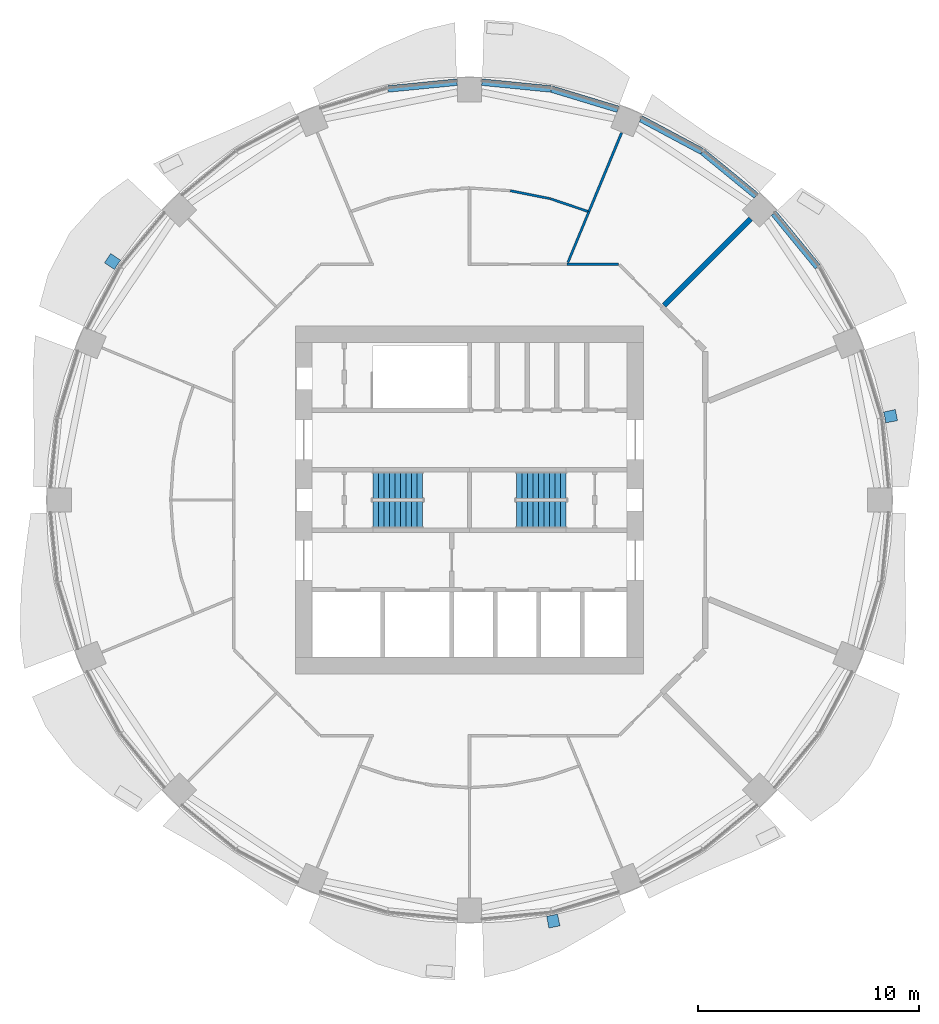
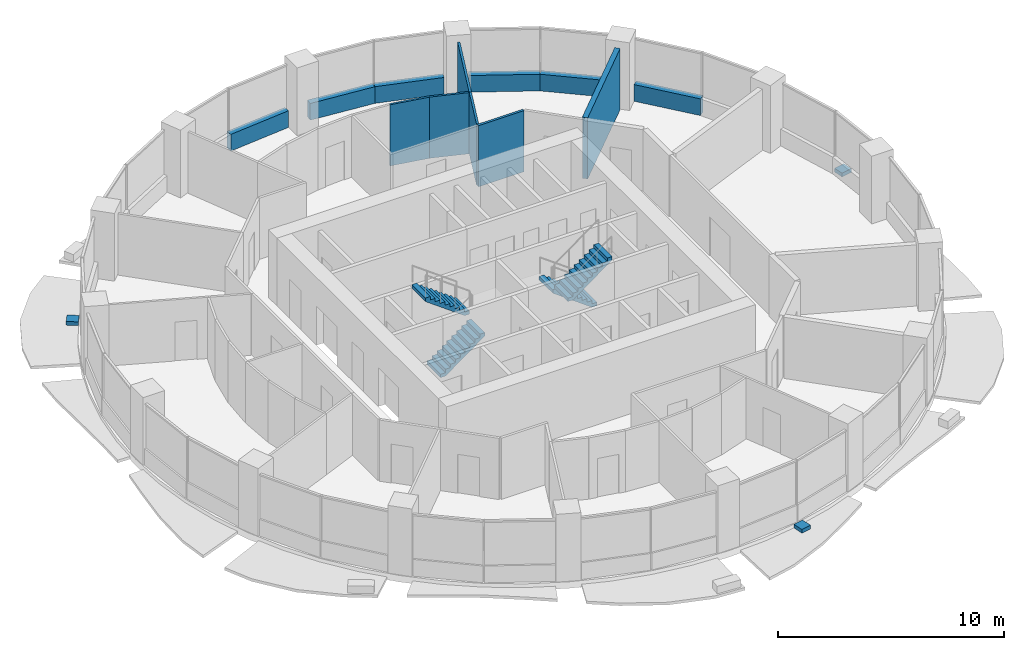
# One storey, part 10 of 14: 12 walls, 4 stair flights, 3 discrete accessories, 2 elements without a shape of their own.
"""IFC4 building model written with IfcOpenShell, lengths in metres."""

from ifc_helpers import new_model, si_unit, direction, frame, frame_2d, origin, place, context, subcontext, project, spatial, polyline, rectangle, outline, extrude, material, layer, layer_set, type_object, element, aggregate, save


model = new_model("IFC4")

# Units and contexts
model_context = context("Model", 3, precision=1e-05, world=origin(), true_north=direction((0.0, 1.0)))
body_context = subcontext(model_context, "Body", "Model", "MODEL_VIEW")
ifc_project = project(units=[si_unit("LENGTHUNIT", "METRE"), si_unit("AREAUNIT", "SQUARE_METRE"), si_unit("VOLUMEUNIT", "CUBIC_METRE"), si_unit("PLANEANGLEUNIT", "RADIAN"), si_unit("MASSUNIT", "GRAM", prefix="KILO")], contexts=[model_context])

# Site, building, storey
site_placement = place(None, origin())
site = spatial("IfcSite", under=ifc_project, at=site_placement, CompositionType="ELEMENT")
building_placement = place(site_placement, origin())
building = spatial("IfcBuilding", under=site, at=building_placement, Name="Polderwave Tower", CompositionType="ELEMENT")
storey_placement = place(building_placement, frame((0.0, 0.0, 112.89990234375)))
storey = spatial("IfcBuildingStorey", under=building, at=storey_placement, Name="L29", CompositionType="ELEMENT", Elevation=112.89990234375)

# Walls
ifc_material_1 = material(Name="Concrete C50/60 (board-marked)", Category="concrete")
ifc_layer_1 = layer(ifc_material_1, 0.300048828125)
ifc_layer_set_1 = layer_set([ifc_layer_1], Name="Concrete spandrel upstand C50/60")
wall_type_1 = type_object("IfcWallType", Name="Concrete spandrel upstand C50/60", PredefinedType="SOLIDWALL", material=ifc_layer_set_1)
for number, where, z_axis, x_axis, name in (
    (1, (15.771484375, 10.556640625, 0.0), (0.0, 0.0, 1.0), (-0.634274895162, 0.773107597536, 0.0), "Spandrel L29 2b"),
    (2, (12.9833984375, 13.780517578125, 0.0), (0.0, 0.0, 1.0), (-0.773107597536, 0.634274895162, 0.0), "Spandrel L29 3a"),
):
    element("IfcWall", number, at=place(storey_placement, frame(where, z_axis=z_axis, x_axis=x_axis)), inside=storey, type_object=wall_type_1, Name=name, PredefinedType="SOLIDWALL", context=body_context, shape_type="SweptSolid", body=[
        extrude(rectangle(XDim=3.138916015625, YDim=0.300048828125, at=frame_2d((1.5693359375, 0.0))), origin(), (0.0, 0.0, 1.0), 0.900146484375),
    ])
wall_1_placement = place(storey_placement, frame((10.53173828125, 15.7880859375, 0.0), z_axis=(0.0, 0.0, 1.0), x_axis=(-0.88193278355, 0.471375185282, 0.0)))
element("IfcWall", 3, at=wall_1_placement, inside=storey, type_object=wall_type_1, Name="Spandrel L29 3b", PredefinedType="SOLIDWALL", context=body_context, shape_type="SweptSolid", body=[
    extrude(rectangle(XDim=3.13916015625, YDim=0.300048828125, at=frame_2d((1.569580078125, 0.0))), origin(), (0.0, 0.0, 1.0), 0.900146484375),
])
wall_2_placement = place(storey_placement, frame((6.7216796875, 17.699462890625, 0.0), z_axis=(0.0, 0.0, 1.0), x_axis=(-0.956961595403, 0.290214584271, 0.0)))
element("IfcWall", 4, at=wall_2_placement, inside=storey, type_object=wall_type_1, Name="Spandrel L29 4a", PredefinedType="SOLIDWALL", context=body_context, shape_type="SweptSolid", body=[
    extrude(rectangle(XDim=3.139404296875, YDim=0.300048828125, at=frame_2d((1.56982421875, 0.0))), origin(), (0.0, 0.0, 1.0), 0.900146484375),
])
for number, where, z_axis, x_axis, name in (
    (5, (3.68798828125, 18.616455078125, 0.0), (0.0, 0.0, 1.0), (-0.995171790956, 0.098148390136, 0.0), "Spandrel L29 4b"),
    (6, (-0.56396484375, 18.924560546875, 0.0), (0.0, 0.0, 1.0), (-0.995171790956, -0.098148390136, 0.0), "Spandrel L29 5a"),
):
    element("IfcWall", number, at=place(storey_placement, frame(where, z_axis=z_axis, x_axis=x_axis)), inside=storey, type_object=wall_type_1, Name=name, PredefinedType="SOLIDWALL", context=body_context, shape_type="SweptSolid", body=[
        extrude(rectangle(XDim=3.13916015625, YDim=0.300048828125, at=frame_2d((1.569580078125, 0.0))), origin(), (0.0, 0.0, 1.0), 0.900146484375),
    ])
ifc_material_2 = material(Name="Fire-resisting board on steel studs", Category="steel")
ifc_layer_2 = layer(ifc_material_2, 0.125)
ifc_layer_set_2 = layer_set([ifc_layer_2], Name="Corridor wall 125 mm EI 60")
wall_type_2 = type_object("IfcWallType", Name="Corridor wall 125 mm EI 60", PredefinedType="PARTITIONING", material=ifc_layer_set_2)
wall_3_placement = place(storey_placement, frame((4.42138671875, 10.674072265625, 0.0), z_axis=(0.0, 0.0, 1.0), x_axis=(1.0, 0.0, 0.0)))
element("IfcWall", 7, at=wall_3_placement, inside=storey, type_object=wall_type_2, Name="IN-L29-W006", PredefinedType="PARTITIONING", context=body_context, shape_type="SweptSolid", body=[
    extrude(rectangle(XDim=2.32373046875, YDim=0.125, at=frame_2d((1.161865234375, 0.0))), origin(), (0.0, 0.0, 1.0), 3.300048828125),
])
ifc_material_3 = material(Name="Moisture-resistant board on steel studs, tiled", Category="steel")
ifc_layer_3 = layer(ifc_material_3, 0.10498046875)
ifc_layer_set_3 = layer_set([ifc_layer_3], Name="Partition 105 mm wet room board and tile")
wall_type_3 = type_object("IfcWallType", Name="Partition 105 mm wet room board and tile", PredefinedType="PARTITIONING", material=ifc_layer_set_3)
wall_4_placement = place(storey_placement, frame((4.45556640625, 10.756591796875, 0.0), z_axis=(0.0, 0.0, 1.0), x_axis=(0.382634999188, 0.923899592703, 0.0)))
element("IfcWall", 8, at=wall_4_placement, inside=storey, type_object=wall_type_3, Name="IN-L29-W025", PredefinedType="PARTITIONING", context=body_context, shape_type="SweptSolid", body=[
    extrude(rectangle(XDim=2.487060546875, YDim=0.10498046875, at=frame_2d((1.24365234375, 0.0))), origin(), (0.0, 0.0, 1.0), 3.300048828125),
])
wall_5_placement = place(storey_placement, frame((1.84765625, 14.00830078125, 0.0), z_axis=(0.0, 0.0, 1.0), x_axis=(0.98079932362, -0.195019708711, 0.0)))
element("IfcWall", 9, at=wall_5_placement, inside=storey, type_object=wall_type_3, Name="IN-L29-W028", PredefinedType="PARTITIONING", context=body_context, shape_type="SweptSolid", body=[
    extrude(rectangle(XDim=1.841552734375, YDim=0.10498046875, at=frame_2d((0.9208984375, 0.0))), origin(), (0.0, 0.0, 1.0), 3.300048828125),
])
wall_6_placement = place(storey_placement, frame((3.660400390625, 13.6474609375, 0.0), z_axis=(0.0, 0.0, 1.0), x_axis=(0.946919275018, -0.321471439787, 0.0)))
element("IfcWall", 10, at=wall_6_placement, inside=storey, type_object=wall_type_3, Name="IN-L29-W029", PredefinedType="PARTITIONING", context=body_context, shape_type="SweptSolid", body=[
    extrude(rectangle(XDim=1.7861328125, YDim=0.10498046875, at=frame_2d((0.89306640625, 0.0))), origin(), (0.0, 0.0, 1.0), 3.300048828125),
])
ifc_material_4 = material(Name="Acoustic double plasterboard on steel studs", Category="steel")
ifc_layer_4 = layer(ifc_material_4, 0.110107421875)
ifc_layer_set_4 = layer_set([ifc_layer_4], Name="Partition 110 mm acoustic double board")
wall_type_4 = type_object("IfcWallType", Name="Partition 110 mm acoustic double board", PredefinedType="PARTITIONING", material=ifc_layer_set_4)
wall_7_placement = place(storey_placement, frame((5.4072265625, 13.054443359375, 0.0), z_axis=(0.0, 0.0, 1.0), x_axis=(0.382674944996, 0.923883048049, 0.0)))
element("IfcWall", 11, at=wall_7_placement, inside=storey, type_object=wall_type_4, Name="IN-L29-W026", PredefinedType="PARTITIONING", context=body_context, shape_type="SweptSolid", body=[
    extrude(rectangle(XDim=3.8701171875, YDim=0.110107421875, at=frame_2d((1.93505859375, 0.0))), origin(), (0.0, 0.0, 1.0), 3.300048828125),
])
ifc_material_5 = material(Name="Fire-resisting board on steel studs, mineral wool", Category="steel")
ifc_layer_5 = layer(ifc_material_5, 0.25)
ifc_layer_set_5 = layer_set([ifc_layer_5], Name="Plant room wall 250 mm EI 120")
wall_type_5 = type_object("IfcWallType", Name="Plant room wall 250 mm EI 120", PredefinedType="PARTITIONING", material=ifc_layer_set_5)
wall_8_placement = place(storey_placement, frame((12.727783203125, 12.727783203125, 0.0), z_axis=(0.0, 0.0, 1.0), x_axis=(-0.707106781187, -0.707106781187, 0.0)))
element("IfcWall", 12, at=wall_8_placement, inside=storey, type_object=wall_type_5, Name="IN-L29-W024", PredefinedType="PARTITIONING", context=body_context, shape_type="SweptSolid", body=[
    extrude(rectangle(XDim=5.53955078125, YDim=0.25, at=frame_2d((2.769775390625, 0.0))), origin(), (0.0, 0.0, 1.0), 3.300048828125),
])

# Stair, stair flights
ifc_material_6 = material(Name="Concrete C40/50", Category="concrete")
stair_type = type_object("IfcStairType", Name="Exit stair 1200 x 20 risers", PredefinedType="HALF_TURN_STAIR", material=ifc_material_6)
stair_1_placement = place(storey_placement, origin())
stair_1 = element("IfcStair", 13, at=stair_1_placement, inside=storey, type_object=stair_type, Name="L29 Exit stair A", PredefinedType="HALF_TURN_STAIR")
stair_flight_type = type_object("IfcStairFlightType", Name="Stair flight 1200", PredefinedType="STRAIGHT", material=ifc_material_6)
stair_flight_1_placement = place(storey_placement, frame((-4.3740234375, -0.675048828125, 0.0), z_axis=(0.0, 0.0, 1.0), x_axis=(1.0, 0.0, 0.0)))
stair_flight_1 = element("IfcStairFlight", 14, at=stair_flight_1_placement, type_object=stair_flight_type, Name="ST-A flight 1", NumberOfRisers=10, NumberOfTreads=9, PredefinedType="STRAIGHT", RiserHeight=0.1825, TreadLength=0.25, context=body_context, shape_type="SweptSolid", body=[
    extrude(outline(polyline([(0.0, 0.0), (0.0, 0.1826171875), (0.25, 0.1826171875), (0.25, 0.364990234375), (0.5, 0.364990234375), (0.5, 0.547607421875), (0.75, 0.547607421875), (0.75, 0.72998046875), (1.0, 0.72998046875), (1.0, 0.91259765625), (1.25, 0.91259765625), (1.25, 1.094970703125), (1.5, 1.094970703125), (1.5, 1.277587890625), (1.75, 1.277587890625), (1.75, 1.4599609375), (2.0, 1.4599609375), (2.0, 1.642578125), (2.25, 1.642578125), (2.25, 1.824951171875), (2.25, 1.456787109375), (0.254150390625, 0.0), (0.0, 0.0)])), frame((0.0, 0.60009765625, 0.0), z_axis=(0.0, -1.0, 0.0), x_axis=(1.0, 0.0, 0.0)), (0.0, 0.0, 1.0), 1.199951171875),
])
stair_flight_2_placement = place(storey_placement, frame((-2.1240234375, 0.675048828125, 1.8251953125), z_axis=(0.0, 0.0, 1.0), x_axis=(-1.0, 0.0, 0.0)))
stair_flight_2 = element("IfcStairFlight", 15, at=stair_flight_2_placement, type_object=stair_flight_type, Name="ST-A flight 2", NumberOfRisers=10, NumberOfTreads=9, PredefinedType="STRAIGHT", RiserHeight=0.1825, TreadLength=0.25, context=body_context, shape_type="SweptSolid", body=[
    extrude(outline(polyline([(0.0, 0.0), (0.0, 0.1826171875), (0.25, 0.1826171875), (0.25, 0.364990234375), (0.5, 0.364990234375), (0.5, 0.547607421875), (0.75, 0.547607421875), (0.75, 0.72998046875), (1.0, 0.72998046875), (1.0, 0.91259765625), (1.25, 0.91259765625), (1.25, 1.094970703125), (1.5, 1.094970703125), (1.5, 1.277587890625), (1.75, 1.277587890625), (1.75, 1.4599609375), (2.0, 1.4599609375), (2.0, 1.642578125), (2.25, 1.642578125), (2.25, 1.824951171875), (2.25, 1.456787109375), (0.254150390625, 0.0), (0.0, 0.0)])), frame((0.0, 0.60009765625, 0.0), z_axis=(0.0, -1.0, 0.0), x_axis=(1.0, 0.0, 0.0)), (0.0, 0.0, 1.0), 1.199951171875),
])
aggregate(stair_1, [stair_flight_1, stair_flight_2])

stair_2_placement = place(storey_placement, origin())
stair_2 = element("IfcStair", 16, at=stair_2_placement, inside=storey, type_object=stair_type, Name="L29 Exit stair B", PredefinedType="HALF_TURN_STAIR")
stair_flight_3_placement = place(storey_placement, frame((4.3740234375, 0.675048828125, 0.0), z_axis=(0.0, 0.0, 1.0), x_axis=(-1.0, 0.0, 0.0)))
stair_flight_3 = element("IfcStairFlight", 17, at=stair_flight_3_placement, type_object=stair_flight_type, Name="ST-B flight 1", NumberOfRisers=10, NumberOfTreads=9, PredefinedType="STRAIGHT", RiserHeight=0.1825, TreadLength=0.25, context=body_context, shape_type="SweptSolid", body=[
    extrude(outline(polyline([(0.0, 0.0), (0.0, 0.1826171875), (0.25, 0.1826171875), (0.25, 0.364990234375), (0.5, 0.364990234375), (0.5, 0.547607421875), (0.75, 0.547607421875), (0.75, 0.72998046875), (1.0, 0.72998046875), (1.0, 0.91259765625), (1.25, 0.91259765625), (1.25, 1.094970703125), (1.5, 1.094970703125), (1.5, 1.277587890625), (1.75, 1.277587890625), (1.75, 1.4599609375), (2.0, 1.4599609375), (2.0, 1.642578125), (2.25, 1.642578125), (2.25, 1.824951171875), (2.25, 1.456787109375), (0.254150390625, 0.0), (0.0, 0.0)])), frame((0.0, 0.60009765625, 0.0), z_axis=(0.0, -1.0, 0.0), x_axis=(1.0, 0.0, 0.0)), (0.0, 0.0, 1.0), 1.199951171875),
])
stair_flight_4_placement = place(storey_placement, frame((2.1240234375, -0.675048828125, 1.8251953125), z_axis=(0.0, 0.0, 1.0), x_axis=(1.0, 0.0, 0.0)))
stair_flight_4 = element("IfcStairFlight", 18, at=stair_flight_4_placement, type_object=stair_flight_type, Name="ST-B flight 2", NumberOfRisers=10, NumberOfTreads=9, PredefinedType="STRAIGHT", RiserHeight=0.1825, TreadLength=0.25, context=body_context, shape_type="SweptSolid", body=[
    extrude(outline(polyline([(0.0, 0.0), (0.0, 0.1826171875), (0.25, 0.1826171875), (0.25, 0.364990234375), (0.5, 0.364990234375), (0.5, 0.547607421875), (0.75, 0.547607421875), (0.75, 0.72998046875), (1.0, 0.72998046875), (1.0, 0.91259765625), (1.25, 0.91259765625), (1.25, 1.094970703125), (1.5, 1.094970703125), (1.5, 1.277587890625), (1.75, 1.277587890625), (1.75, 1.4599609375), (2.0, 1.4599609375), (2.0, 1.642578125), (2.25, 1.642578125), (2.25, 1.824951171875), (2.25, 1.456787109375), (0.254150390625, 0.0), (0.0, 0.0)])), frame((0.0, 0.60009765625, 0.0), z_axis=(0.0, -1.0, 0.0), x_axis=(1.0, 0.0, 0.0)), (0.0, 0.0, 1.0), 1.199951171875),
])
aggregate(stair_2, [stair_flight_3, stair_flight_4])

# Discrete accessories
ifc_material_7 = material(Name="Steel S355", Category="steel")
discrete_accessory_type = type_object("IfcDiscreteAccessoryType", Name="Band bracket pad", PredefinedType="BRACKET", material=ifc_material_7)
discrete_accessory_1_placement = place(storey_placement, frame((0.0, 0.0, -0.199951171875)))
element("IfcDiscreteAccessory", 19, at=discrete_accessory_1_placement, inside=storey, type_object=discrete_accessory_type, Name="Band bracket L29 1", PredefinedType="BRACKET", context=body_context, shape_type="SweptSolid", body=[
    extrude(outline(polyline([(18.84814453125, 3.494384765625), (18.8115234375, 3.74169921875), (18.750732421875, 3.984375), (19.288818359375, 4.0986328125), (19.388916015625, 3.5947265625), (18.84814453125, 3.494384765625)])), origin(), (0.0, 0.0, 1.0), 0.199951171875),
])
discrete_accessory_2_placement = place(storey_placement, frame((0.0, 0.0, -0.199951171875)))
element("IfcDiscreteAccessory", 20, at=discrete_accessory_2_placement, inside=storey, type_object=discrete_accessory_type, Name="Band bracket L29 7", PredefinedType="BRACKET", context=body_context, shape_type="SweptSolid", body=[
    extrude(outline(polyline([(-15.798583984375, 10.856689453125), (-15.947509765625, 10.65576171875), (-16.076171875, 10.44140625), (-16.537353515625, 10.740966796875), (-16.251953125, 11.168212890625), (-15.798583984375, 10.856689453125)])), origin(), (0.0, 0.0, 1.0), 0.199951171875),
])
discrete_accessory_3_placement = place(storey_placement, frame((0.0, 0.0, -0.199951171875)))
element("IfcDiscreteAccessory", 21, at=discrete_accessory_3_placement, inside=storey, type_object=discrete_accessory_type, Name="Band bracket L29 13", PredefinedType="BRACKET", context=body_context, shape_type="SweptSolid", body=[
    extrude(outline(polyline([(3.494384765625, -18.84814453125), (3.74169921875, -18.8115234375), (3.984375, -18.750732421875), (4.0986328125, -19.288818359375), (3.5947265625, -19.388916015625), (3.494384765625, -18.84814453125)])), origin(), (0.0, 0.0, 1.0), 0.199951171875),
])

save(model, "model.ifc")
